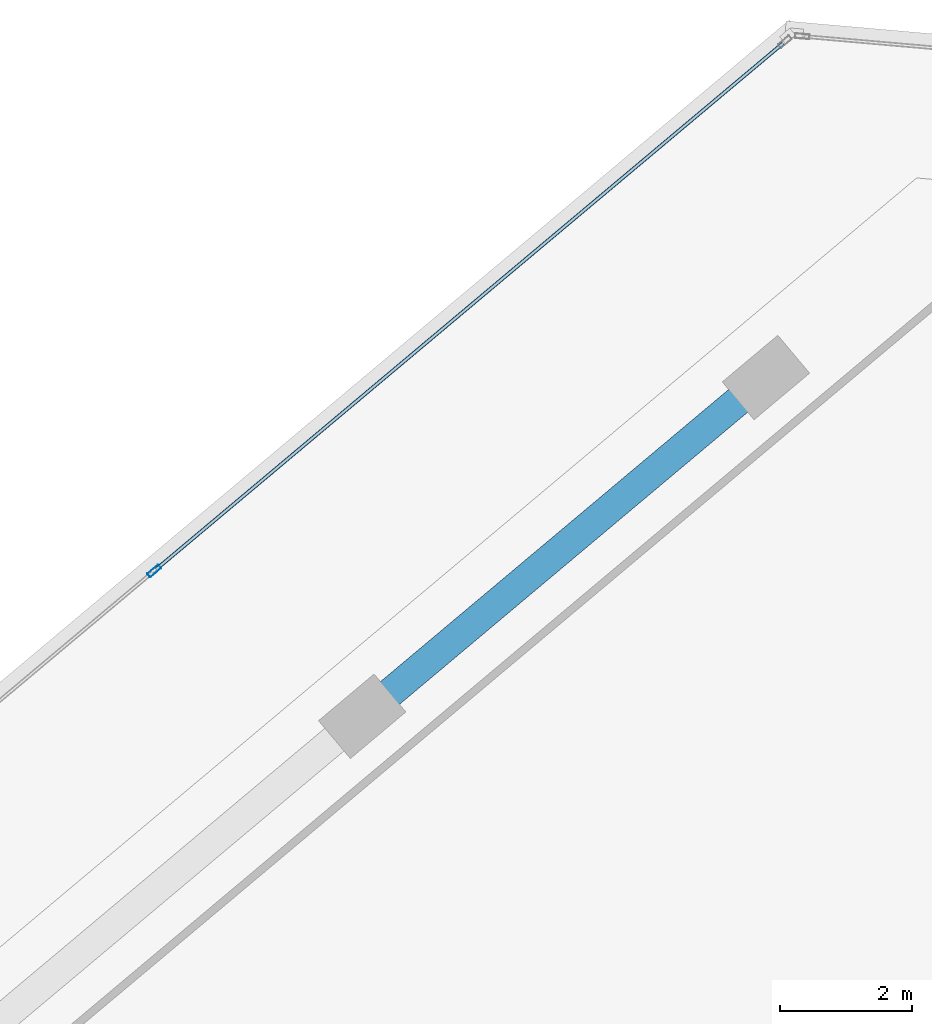
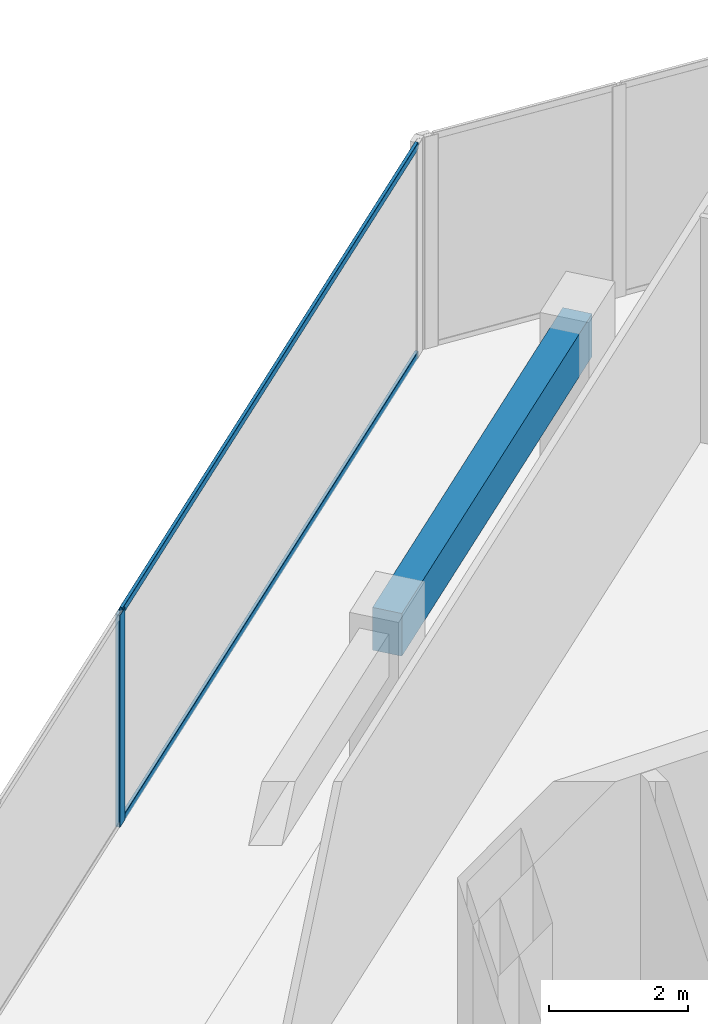
# One storey, part 8 of 17: 3 members, 1 beam, 1 element without a shape of its own.
"""IFC4 building model written with IfcOpenShell, lengths in metres."""

from ifc_helpers import new_model, si_unit, direction, frame, origin, origin_2d, place, context, subcontext, project, spatial, rectangle, hollow_rectangle, extrude, source, transform, mapped, material, material_profile, profile_set, type_object, element, aggregate, save


model = new_model("IFC4")

# Units and contexts
model_context = context("Model", 3, precision=1e-05, world=origin(), true_north=direction((0.0, 1.0)))
body_context = subcontext(model_context, "Body", "Model", "MODEL_VIEW")
ifc_project = project(units=[si_unit("LENGTHUNIT", "METRE"), si_unit("AREAUNIT", "SQUARE_METRE"), si_unit("VOLUMEUNIT", "CUBIC_METRE"), si_unit("PLANEANGLEUNIT", "RADIAN"), si_unit("MASSUNIT", "GRAM", prefix="KILO")], contexts=[model_context])

# Site, building, storey
site_placement = place(None, origin())
site = spatial("IfcSite", under=ifc_project, at=site_placement, CompositionType="ELEMENT")
building_placement = place(site_placement, origin())
building = spatial("IfcBuilding", under=site, at=building_placement, Name="Torre Montelarca", CompositionType="ELEMENT")
storey_placement = place(building_placement, frame((0.0, 0.0, 271.0)))
storey = spatial("IfcBuildingStorey", under=building, at=storey_placement, Name="L61", CompositionType="ELEMENT", Elevation=271.0)

# Beam
ifc_material_1 = material(Name="Concrete C55/67", Category="concrete")
ifc_material_profile_1 = material_profile(ifc_material_1, rectangle(XDim=0.449951171875, YDim=0.75, at=origin_2d()), Name="RCB450X750", Category="concrete")
ifc_profile_set_1 = profile_set([ifc_material_profile_1], Name="Concrete C55/67")
beam_type = type_object("IfcBeamType", Name="BM-SP-RC750-EXT", PredefinedType="SPANDREL", material=ifc_profile_set_1)
shared_shape_1 = source(origin(), body_context, "Body", "SweptSolid", [
    extrude(rectangle(XDim=0.449951171875, YDim=0.75, at=origin_2d()), origin(), (0.0, 0.0, 1.0), 8.0),
])
beam_placement = place(storey_placement, frame((10.6689453125, 44.90771484375, 3.5849609375), z_axis=(0.766045629364, 0.642786195972, 0.0), x_axis=(-0.642786195972, 0.766045629364, 0.0)))
element("IfcBeam", 1, at=beam_placement, inside=storey, type_object=beam_type, Name="L61 Grid Girder Y 32.0-40.0 at X=4.7", PredefinedType="SPANDREL", context=body_context, shape_type="MappedRepresentation", body=[
    mapped(shared_shape_1, transform((0.0, 0.0, 0.0), scale=1.0)),
])

# Curtain wall, members
ifc_material_2 = material(Name="Insulated low-E laminated glass", Category="glass")
curtain_wall_type = type_object("IfcCurtainWallType", Name="CW-SYS-Z3", PredefinedType="USERDEFINED", material=ifc_material_2)
curtain_wall_placement = place(storey_placement, origin())
curtain_wall = element("IfcCurtainWall", 2, at=curtain_wall_placement, inside=storey, type_object=curtain_wall_type, Name="L61 Curtain Wall Run CW-T3-L61-E10-B1", ObjectType="UNITISED GLAZING", PredefinedType="USERDEFINED")
ifc_material_3 = material(Name="Anodised aluminium AA 6063-T6", Category="aluminium")
ifc_material_profile_2 = material_profile(ifc_material_3, hollow_rectangle(XDim=0.054931640625, YDim=0.1201171875, WallThickness=0.00341796875, InnerFilletRadius=0.00341796875, OuterFilletRadius=0.007080078125, at=origin_2d()), Name="ALU55X120X3.5", Category="aluminium")
ifc_profile_set_2 = profile_set([ifc_material_profile_2], Name="Anodised aluminium AA 6063-T6")
member_type_1 = type_object("IfcMemberType", Name="CWT-ALU120", PredefinedType="USERDEFINED", material=ifc_profile_set_2)
shared_shape_2 = source(origin(), body_context, "Body", "SweptSolid", [
    extrude(hollow_rectangle(XDim=0.054931640625, YDim=0.1201171875, WallThickness=0.00341796875, InnerFilletRadius=0.00341796875, OuterFilletRadius=0.007080078125, at=origin_2d()), origin(), (0.0, 0.0, 1.0), 12.421630859375),
])
member_1_placement = place(storey_placement, frame((17.05615234375, 55.123291015625, 0.027587890625), z_axis=(-0.766051674656, -0.642778991378, 0.0), x_axis=(0.642778991378, -0.766051674656, 0.0)))
member_1 = element("IfcMember", 3, at=member_1_placement, type_object=member_type_1, Name="CW transom 1.1", ObjectType="TRANSOM", PredefinedType="USERDEFINED", context=body_context, shape_type="MappedRepresentation", body=[
    mapped(shared_shape_2, transform((0.0, 0.0, 0.0), scale=1.0)),
])
member_2_placement = place(storey_placement, frame((17.05615234375, 55.123291015625, 3.6923828125), z_axis=(-0.766051674656, -0.642778991378, 0.0), x_axis=(0.642778991378, -0.766051674656, 0.0)))
member_2 = element("IfcMember", 4, at=member_2_placement, type_object=member_type_1, Name="CW transom 1.2", ObjectType="TRANSOM", PredefinedType="USERDEFINED", context=body_context, shape_type="MappedRepresentation", body=[
    mapped(shared_shape_2, transform((0.0, 0.0, 0.0), scale=1.0)),
])
ifc_material_profile_3 = material_profile(ifc_material_3, hollow_rectangle(XDim=0.074951171875, YDim=0.219970703125, WallThickness=0.0048828125, InnerFilletRadius=0.0048828125, OuterFilletRadius=0.010009765625, at=origin_2d()), Name="ALU75X220X5", Category="aluminium")
ifc_profile_set_3 = profile_set([ifc_material_profile_3], Name="Anodised aluminium AA 6063-T6")
member_type_2 = type_object("IfcMemberType", Name="CWM-ALU220", PredefinedType="MULLION", material=ifc_profile_set_3)
shared_shape_3 = source(origin(), body_context, "Body", "SweptSolid", [
    extrude(hollow_rectangle(XDim=0.074951171875, YDim=0.219970703125, WallThickness=0.0048828125, InnerFilletRadius=0.0048828125, OuterFilletRadius=0.010009765625, at=origin_2d()), origin(), (0.0, 0.0, 1.0), 3.719970703125),
])
member_3_placement = place(storey_placement, frame((7.51171875, 47.11474609375, 0.0), z_axis=(0.0, 0.0, 1.0), x_axis=(0.642788408931, -0.766043772472, 0.0)))
member_3 = element("IfcMember", 5, at=member_3_placement, type_object=member_type_2, Name="CW mullion 2", PredefinedType="MULLION", context=body_context, shape_type="MappedRepresentation", body=[
    mapped(shared_shape_3, transform((0.0, 0.0, 0.0), scale=1.0)),
])
aggregate(curtain_wall, [member_3, member_1, member_2])

save(model, "model.ifc")
